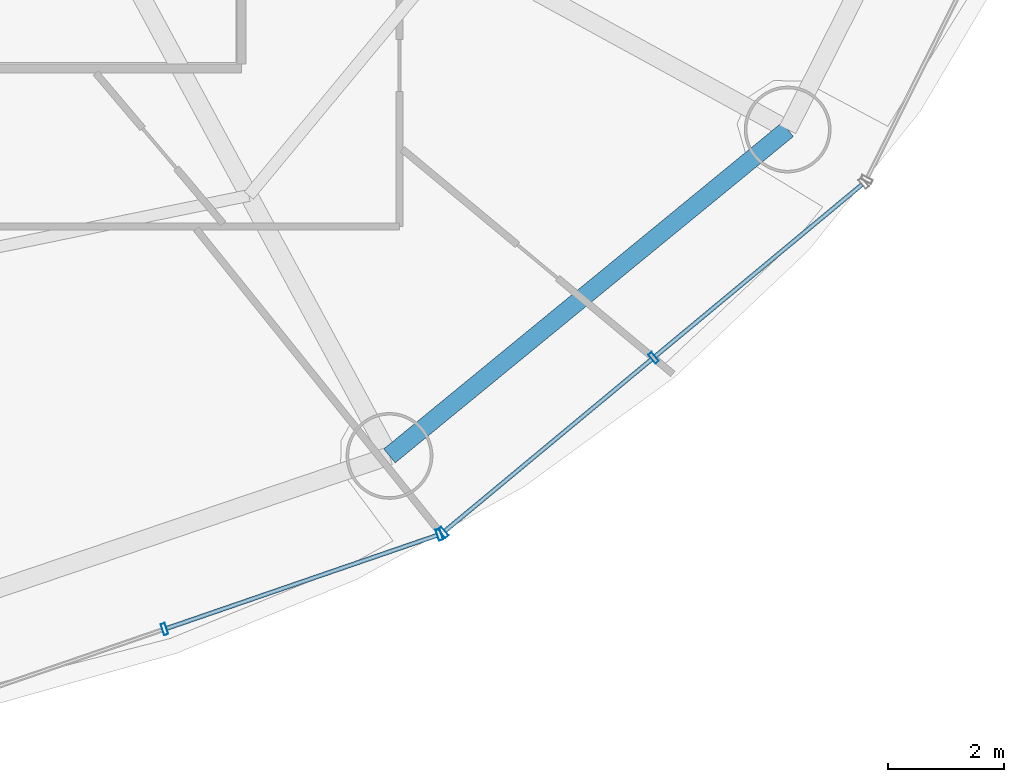
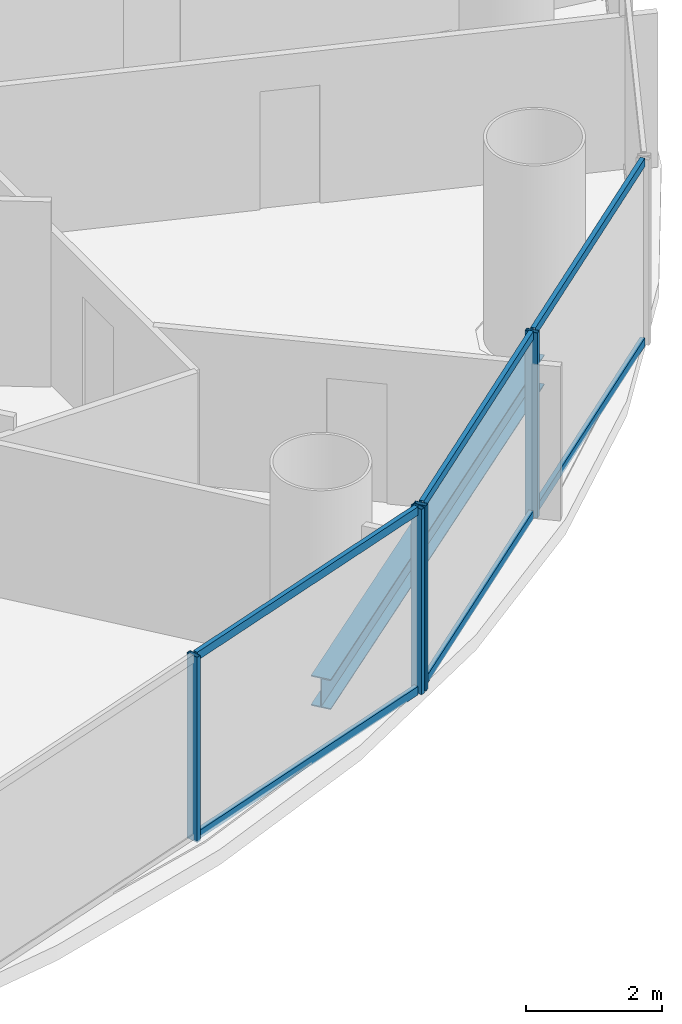
# One storey, part 11 of 29: 10 members, 1 beam, 2 elements without a shape of their own.
"""IFC4 building model written with IfcOpenShell, lengths in metres."""

from ifc_helpers import new_model, si_unit, direction, frame, origin, origin_2d, place, context, subcontext, project, spatial, hollow_rectangle, i_section, extrude, source, transform, mapped, material, material_profile, profile_set, type_object, element, aggregate, save


model = new_model("IFC4")

# Units and contexts
model_context = context("Model", 3, precision=1e-05, world=origin(), true_north=direction((-0.2419218956, 0.970295726276)))
body_context = subcontext(model_context, "Body", "Model", "MODEL_VIEW")
ifc_project = project(units=[si_unit("LENGTHUNIT", "METRE"), si_unit("AREAUNIT", "SQUARE_METRE"), si_unit("VOLUMEUNIT", "CUBIC_METRE"), si_unit("PLANEANGLEUNIT", "RADIAN"), si_unit("MASSUNIT", "GRAM", prefix="KILO")], contexts=[model_context])

# Site, building, storey
site_placement = place(None, origin())
site = spatial("IfcSite", under=ifc_project, at=site_placement, CompositionType="ELEMENT")
building_placement = place(site_placement, origin())
building = spatial("IfcBuilding", under=site, at=building_placement, Name="Cobrevalo Terracotta Tower", CompositionType="ELEMENT")
storey_placement = place(building_placement, frame((0.0, 0.0, 94.199951171875)))
storey = spatial("IfcBuildingStorey", under=building, at=storey_placement, Name="L24", CompositionType="ELEMENT", Elevation=94.199951171875)

# Beam
ifc_material_1 = material(Name="Steel S355", Category="steel")
ifc_material_profile_1 = material_profile(ifc_material_1, i_section(OverallWidth=0.31201171875, OverallDepth=0.54296875, WebThickness=0.0126953125, FlangeThickness=0.020263671875, at=origin_2d()), Name="W 530x150")
ifc_profile_set_1 = profile_set([ifc_material_profile_1], Name="Steel S355")
beam_type = type_object("IfcBeamType", Name="Structural Spandrel W 530x150 (Steel S355)", PredefinedType="SPANDREL", material=ifc_profile_set_1)
beam_placement = place(storey_placement, frame((51.861572265625, 9.79638671875, -0.54638671875), z_axis=(0.773400923541, 0.633917196064, 0.0), x_axis=(-0.633917196064, 0.773400923541, 0.0)))
element("IfcBeam", 1, at=beam_placement, inside=storey, type_object=beam_type, Name="L24 perimeter ring spandrel 14", PredefinedType="SPANDREL", context=body_context, shape_type="SweptSolid", body=[
    extrude(i_section(OverallWidth=0.31201171875, OverallDepth=0.54296875, WebThickness=0.0126953125, FlangeThickness=0.020263671875, at=origin_2d()), origin(), (0.0, 0.0, 1.0), 8.900390625),
])

# Curtain wall, members
ifc_material_2 = material(Name="Anodized aluminium", Category="aluminium")
curtain_wall_type = type_object("IfcCurtainWallType", Name="Lower-tower unitised acoustic low-E curtain wall CW-U1", PredefinedType="NOTDEFINED", material=ifc_material_2)
curtain_wall_1_placement = place(storey_placement, origin())
curtain_wall_1 = element("IfcCurtainWall", 2, at=curtain_wall_1_placement, inside=storey, type_object=curtain_wall_type, Name="L24 curtain wall CW-L24-S13", PredefinedType="NOTDEFINED")
ifc_material_profile_2 = material_profile(ifc_material_2, hollow_rectangle(XDim=0.074951171875, YDim=0.199951171875, WallThickness=0.0048828125, at=origin_2d()), Name="CWM 75x200")
ifc_profile_set_2 = profile_set([ifc_material_profile_2], Name="Anodized aluminium")
member_type_1 = type_object("IfcMemberType", Name="Lower/mid tower unitised mullion 75x200", PredefinedType="MULLION", material=ifc_profile_set_2)
shared_shape_1 = source(origin(), body_context, "Body", "SweptSolid", [
    extrude(hollow_rectangle(XDim=0.074951171875, YDim=0.199951171875, WallThickness=0.0048828125, at=origin_2d()), origin(), (0.0, 0.0, 1.0), 3.324951171875),
])
member_1_placement = place(storey_placement, frame((47.972412109375, 6.8017578125, 0.0), z_axis=(0.0, 0.0, 1.0), x_axis=(0.94559809868, 0.325337110968, 0.0)))
member_1 = element("IfcMember", 3, at=member_1_placement, type_object=member_type_1, Name="CW-L24-S13 vertical mullion 02", PredefinedType="MULLION", context=body_context, shape_type="MappedRepresentation", body=[
    mapped(shared_shape_1, transform((0.0, 0.0, 0.0), scale=1.0)),
])
member_2_placement = place(storey_placement, frame((52.7236328125, 8.4365234375, 0.0), z_axis=(0.0, 0.0, 1.0), x_axis=(0.94559809868, 0.325337110968, 0.0)))
member_2 = element("IfcMember", 4, at=member_2_placement, type_object=member_type_1, Name="CW-L24-S13 vertical mullion 03", PredefinedType="MULLION", context=body_context, shape_type="MappedRepresentation", body=[
    mapped(shared_shape_1, transform((0.0, 0.0, 0.0), scale=1.0)),
])

curtain_wall_2_placement = place(storey_placement, origin())
curtain_wall_2 = element("IfcCurtainWall", 5, at=curtain_wall_2_placement, inside=storey, type_object=curtain_wall_type, Name="L24 curtain wall CW-L24-S14", PredefinedType="NOTDEFINED")
member_3_placement = place(storey_placement, frame((52.792236328125, 8.47509765625, 0.0), z_axis=(0.0, 0.0, 1.0), x_axis=(0.769243451658, 0.638955798222, 0.0)))
member_3 = element("IfcMember", 6, at=member_3_placement, type_object=member_type_1, Name="CW-L24-S14 vertical mullion 01", PredefinedType="MULLION", context=body_context, shape_type="MappedRepresentation", body=[
    mapped(shared_shape_1, transform((0.0, 0.0, 0.0), scale=1.0)),
])
member_4_placement = place(storey_placement, frame((56.4267578125, 11.493896484375, 0.0), z_axis=(0.0, 0.0, 1.0), x_axis=(0.769243451658, 0.638955798222, 0.0)))
member_4 = element("IfcMember", 7, at=member_4_placement, type_object=member_type_1, Name="CW-L24-S14 vertical mullion 02", PredefinedType="MULLION", context=body_context, shape_type="MappedRepresentation", body=[
    mapped(shared_shape_1, transform((0.0, 0.0, 0.0), scale=1.0)),
])

# Member
ifc_material_profile_3 = material_profile(ifc_material_2, hollow_rectangle(XDim=0.074951171875, YDim=0.14990234375, WallThickness=0.00439453125, at=origin_2d()), Name="CWT 75x150")
ifc_profile_set_3 = profile_set([ifc_material_profile_3], Name="Anodized aluminium")
member_type_2 = type_object("IfcMemberType", Name="Tower unitised aluminium transom 75x150", PredefinedType="USERDEFINED", material=ifc_profile_set_3)
shared_shape_2 = source(origin(), body_context, "Body", "SweptSolid", [
    extrude(hollow_rectangle(XDim=0.074951171875, YDim=0.14990234375, WallThickness=0.00439453125, at=origin_2d()), origin(), (0.0, 0.0, 1.0), 4.944580078125),
])
member_5_placement = place(storey_placement, frame((48.01025390625, 6.814697265625, 0.050048828125), z_axis=(0.945597859971, 0.32533780478, 0.0), x_axis=(-0.32533780478, 0.945597859971, 0.0)))
member_5 = element("IfcMember", 8, at=member_5_placement, type_object=member_type_2, Name="CW-L24-S13 transom B02-T1", ObjectType="TRANSOM", PredefinedType="USERDEFINED", context=body_context, shape_type="MappedRepresentation", body=[
    mapped(shared_shape_2, transform((0.0, 0.0, 0.0), scale=1.0)),
])

member_6_placement = place(storey_placement, frame((48.01025390625, 6.814697265625, 3.275146484375), z_axis=(0.945597859971, 0.32533780478, 0.0), x_axis=(-0.32533780478, 0.945597859971, 0.0)))
member_6 = element("IfcMember", 9, at=member_6_placement, type_object=member_type_2, Name="CW-L24-S13 transom B02-T2", ObjectType="TRANSOM", PredefinedType="USERDEFINED", context=body_context, shape_type="MappedRepresentation", body=[
    mapped(shared_shape_2, transform((0.0, 0.0, 0.0), scale=1.0)),
])

aggregate(curtain_wall_1, [member_1, member_2, member_5, member_6])

shared_shape_3 = source(origin(), body_context, "Body", "SweptSolid", [
    extrude(hollow_rectangle(XDim=0.074951171875, YDim=0.14990234375, WallThickness=0.00439453125, at=origin_2d()), origin(), (0.0, 0.0, 1.0), 4.64501953125),
])
member_7_placement = place(storey_placement, frame((52.822998046875, 8.50048828125, 0.050048828125), z_axis=(0.769224156193, 0.638979027457, 0.0), x_axis=(-0.638979027457, 0.769224156193, 0.0)))
member_7 = element("IfcMember", 10, at=member_7_placement, type_object=member_type_2, Name="CW-L24-S14 transom B01-T1", ObjectType="TRANSOM", PredefinedType="USERDEFINED", context=body_context, shape_type="MappedRepresentation", body=[
    mapped(shared_shape_3, transform((0.0, 0.0, 0.0), scale=1.0)),
])

member_8_placement = place(storey_placement, frame((52.822998046875, 8.50048828125, 3.275146484375), z_axis=(0.769224156193, 0.638979027457, 0.0), x_axis=(-0.638979027457, 0.769224156193, 0.0)))
member_8 = element("IfcMember", 11, at=member_8_placement, type_object=member_type_2, Name="CW-L24-S14 transom B01-T2", ObjectType="TRANSOM", PredefinedType="USERDEFINED", context=body_context, shape_type="MappedRepresentation", body=[
    mapped(shared_shape_3, transform((0.0, 0.0, 0.0), scale=1.0)),
])

member_9_placement = place(storey_placement, frame((56.45751953125, 11.51953125, 0.050048828125), z_axis=(0.769224156193, 0.638979027457, 0.0), x_axis=(-0.638979027457, 0.769224156193, 0.0)))
member_9 = element("IfcMember", 12, at=member_9_placement, type_object=member_type_2, Name="CW-L24-S14 transom B02-T1", ObjectType="TRANSOM", PredefinedType="USERDEFINED", context=body_context, shape_type="MappedRepresentation", body=[
    mapped(shared_shape_3, transform((0.0, 0.0, 0.0), scale=1.0)),
])

member_10_placement = place(storey_placement, frame((56.45751953125, 11.51953125, 3.275146484375), z_axis=(0.769224156193, 0.638979027457, 0.0), x_axis=(-0.638979027457, 0.769224156193, 0.0)))
member_10 = element("IfcMember", 13, at=member_10_placement, type_object=member_type_2, Name="CW-L24-S14 transom B02-T2", ObjectType="TRANSOM", PredefinedType="USERDEFINED", context=body_context, shape_type="MappedRepresentation", body=[
    mapped(shared_shape_3, transform((0.0, 0.0, 0.0), scale=1.0)),
])

aggregate(curtain_wall_2, [member_3, member_4, member_7, member_8, member_9, member_10])

save(model, "model.ifc")
